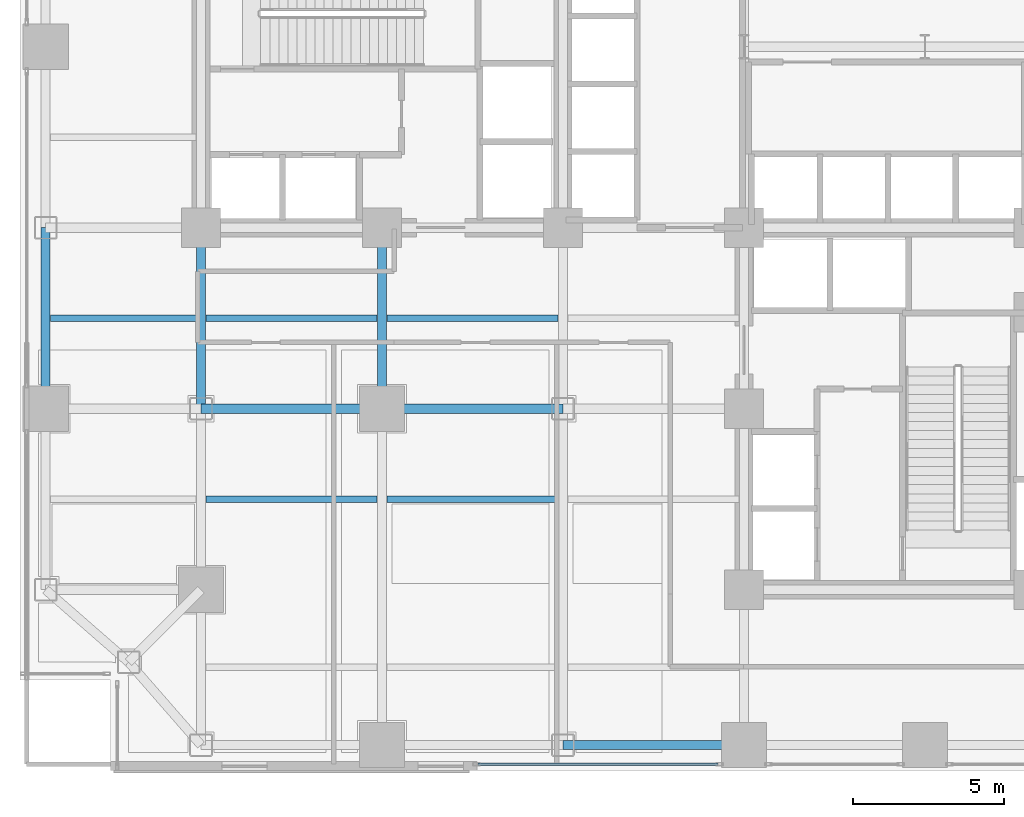
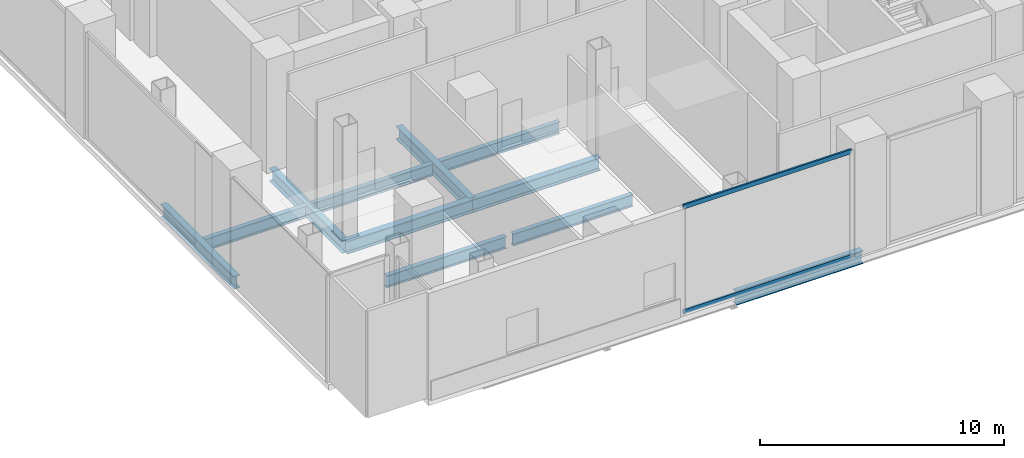
# One storey, part 4 of 27: 11 beams, 2 members, 1 element without a shape of its own.
"""IFC4 building model written with IfcOpenShell, lengths in metres."""

import ifcopenshell
import ifcopenshell.guid

model = None  # the IFC model being written
_history = None  # IfcOwnerHistory: only IFC2X3 demands one
_inside = {}  # id of a spatial element -> (the spatial element, [elements in it])
_under = {}  # id of a project, library or spatial element -> (it, [spatial elements below it])
_declared = {}  # id of a project -> (the project, [libraries it declares])
_typed = {}  # id of a type object -> (the type object, [elements of that type])
_made_of = {}  # id of a material, layer set ... -> (it, [elements and type objects made of it])


def new_model(schema):
    """Start an empty IFC model of exactly this schema.

    Asked for "IFC4X3", IfcOpenShell would pick the latest addendum, in which some entities
    have other attributes; the version numbers below select the first issue.
    IFC2X3 requires an IfcOwnerHistory on every rooted entity: one is made here for all.
    """
    global model, _history
    if schema == "IFC4X3":
        model = ifcopenshell.file(schema_version=(4, 3, 0, 0))
    else:
        model = ifcopenshell.file(schema=schema)
    _inside.clear()
    _under.clear()
    _declared.clear()
    _typed.clear()
    _made_of.clear()
    _history = None
    if model.schema == "IFC2X3":
        org = make("IfcOrganization", Name="unknown")
        user = make(
            "IfcPersonAndOrganization",
            ThePerson=make("IfcPerson", FamilyName="unknown"),
            TheOrganization=org,
        )
        app = make(
            "IfcApplication",
            ApplicationDeveloper=org,
            Version="unknown",
            ApplicationFullName="unknown",
            ApplicationIdentifier="unknown",
        )
        _history = make(
            "IfcOwnerHistory",
            OwningUser=user,
            OwningApplication=app,
            ChangeAction="ADDED",
            CreationDate=0,
        )
    return model


def make(cls, **values):
    """One entity of the class cls with the attributes given. An attribute that is None is left unset."""
    return model.create_entity(
        cls, **{name: value for name, value in values.items() if value is not None}
    )


def rooted(cls, **values):
    """An entity with a GlobalId (a new one), such as an element, a storey or a relation."""
    return make(cls, GlobalId=ifcopenshell.guid.new(), OwnerHistory=_history, **values)


def si_unit(unit_type, name, prefix=None):
    """IfcSIUnit, for example si_unit("LENGTHUNIT", "METRE", prefix="MILLI")."""
    return make("IfcSIUnit", UnitType=unit_type, Prefix=prefix, Name=name)


def assignment(units):
    """IfcUnitAssignment: the units of a project."""
    return None if units is None else make("IfcUnitAssignment", Units=units)


def point(xyz):
    """IfcCartesianPoint."""
    return None if xyz is None else make("IfcCartesianPoint", Coordinates=xyz)


def direction(xyz):
    """IfcDirection."""
    return None if xyz is None else make("IfcDirection", DirectionRatios=xyz)


def frame(location, z_axis=None, x_axis=None):
    """IfcAxis2Placement3D, a coordinate frame: its origin and axes. An axis left out is left unset."""
    return make(
        "IfcAxis2Placement3D",
        Location=point(location),
        Axis=direction(z_axis),
        RefDirection=direction(x_axis),
    )


def frame_2d(location, x_axis=None):
    """IfcAxis2Placement2D, a coordinate frame in the plane: its origin and x axis."""
    return make(
        "IfcAxis2Placement2D", Location=point(location), RefDirection=direction(x_axis)
    )


def origin():
    """The frame at (0, 0, 0) with its axes left unset."""
    return frame((0.0, 0.0, 0.0))


def origin_2d():
    """The frame at (0, 0) in the plane with its x axis left unset."""
    return frame_2d((0.0, 0.0))


def place(relative_to, where):
    """IfcLocalPlacement: puts the frame where relative to a parent placement (None: the world)."""
    return make(
        "IfcLocalPlacement", PlacementRelTo=relative_to, RelativePlacement=where
    )


def context(
    kind, dimensions, precision=None, world=None, true_north=None, identifier=None
):
    """IfcGeometricRepresentationContext, for example the 3D "Model" context."""
    return make(
        "IfcGeometricRepresentationContext",
        ContextIdentifier=identifier,
        ContextType=kind,
        CoordinateSpaceDimension=dimensions,
        Precision=precision,
        WorldCoordinateSystem=world,
        TrueNorth=true_north,
    )


def subcontext(parent, identifier, kind, view, scale=None):
    """IfcGeometricRepresentationSubContext, for example "Body" below "Model"."""
    return make(
        "IfcGeometricRepresentationSubContext",
        ContextIdentifier=identifier,
        ContextType=kind,
        ParentContext=parent,
        TargetScale=scale,
        TargetView=view,
    )


def project(units=None, contexts=None):
    """IfcProject with its units and contexts."""
    return rooted(
        "IfcProject",
        Name="project",
        RepresentationContexts=contexts,
        UnitsInContext=assignment(units),
    )


def spatial(cls, under=None, at=None, **own):
    """A site, building, storey or space (cls), placed at a placement, below another one or the project."""
    s = rooted(cls, ObjectPlacement=at, **own)
    if under is not None:
        _under.setdefault(under.id(), (under, []))[1].append(s)
    return s


def profile(cls, at=None, kind="AREA", **sizes):
    """A parametric profile (cls). Its sizes go by their IFC names, for example OverallWidth=200.0."""
    return make(cls, ProfileType=kind, Position=at, **sizes)


def hollow_rectangle(**sizes):
    """IfcRectangleHollowProfileDef."""
    return profile("IfcRectangleHollowProfileDef", **sizes)


def i_section(**sizes):
    """IfcIShapeProfileDef."""
    return profile("IfcIShapeProfileDef", **sizes)


def extrude(swept, where, along, depth):
    """IfcExtrudedAreaSolid: the profile swept, set in the frame where, extruded along a direction by depth."""
    return make(
        "IfcExtrudedAreaSolid",
        SweptArea=swept,
        Position=where,
        ExtrudedDirection=direction(along),
        Depth=depth,
    )


def shape(context_of_items, identifier, shape_type, items):
    """IfcShapeRepresentation: the items that make up one representation, for example the "Body"."""
    return make(
        "IfcShapeRepresentation",
        ContextOfItems=context_of_items,
        RepresentationIdentifier=identifier,
        RepresentationType=shape_type,
        Items=items,
    )


def material(Name=None, Category=None):
    """IfcMaterial."""
    return make("IfcMaterial", Name=Name, Category=Category)


def layer(
    of_material, thickness, ventilated=None, Name=None, Category=None, Priority=None
):
    """IfcMaterialLayer: one layer of a wall or slab, of a material (None: an air gap)."""
    return make(
        "IfcMaterialLayer",
        Material=of_material,
        LayerThickness=thickness,
        IsVentilated=ventilated,
        Name=Name,
        Category=Category,
        Priority=Priority,
    )


def layer_set(layers, Name=None):
    """IfcMaterialLayerSet."""
    return make("IfcMaterialLayerSet", MaterialLayers=layers, LayerSetName=Name)


def material_profile(
    of_material, cross_section, Name=None, Category=None, Priority=None
):
    """IfcMaterialProfile: a cross section and its material."""
    return make(
        "IfcMaterialProfile",
        Name=Name,
        Material=of_material,
        Profile=cross_section,
        Priority=Priority,
        Category=Category,
    )


def profile_set(profiles, Name=None, composite=None):
    """IfcMaterialProfileSet."""
    return make(
        "IfcMaterialProfileSet",
        Name=Name,
        MaterialProfiles=profiles,
        CompositeProfile=composite,
    )


def made_of(thing, what):
    """Note that an element or type object is made of a material, layer set ...; save() writes the relation."""
    if what is not None:
        _made_of.setdefault(what.id(), (what, []))[1].append(thing)
    return thing


def type_object(cls, material=None, **own):
    """A type object (cls), such as IfcWallType, which elements share."""
    return made_of(rooted(cls, **own), material)


def element(
    cls,
    number,
    at=None,
    inside=None,
    cuts=None,
    type_object=None,
    material=None,
    context=None,
    identifier="Body",
    shape_type=None,
    held_by="IfcProductDefinitionShape",
    body=None,
    shapes=None,
    **own,
):
    """One element of the class cls, such as IfcWall. Its Tag is "e" and its number.

    at: its placement. inside: the storey or other place that contains it. cuts: it is an
    opening in that element (IfcRelVoidsElement). A single representation is given by context,
    identifier, shape_type and body (its items); several are given by shapes. held_by: the class
    of the entity that holds the representations. save() writes the other relations.
    """
    e = rooted(cls, Tag="e%d" % number, ObjectPlacement=at, **own)
    if body is not None:
        shapes = [shape(context, identifier, shape_type, body)]
    if shapes is not None:
        e.Representation = make(held_by, Representations=shapes)
    if inside is not None:
        _inside.setdefault(inside.id(), (inside, []))[1].append(e)
    if cuts is not None:
        rooted(
            "IfcRelVoidsElement", RelatingBuildingElement=cuts, RelatedOpeningElement=e
        )
    if type_object is not None:
        _typed.setdefault(type_object.id(), (type_object, []))[1].append(e)
    return made_of(e, material)


def aggregate(whole, parts):
    """IfcRelAggregates: a whole, such as a stair, and the parts it consists of."""
    return rooted("IfcRelAggregates", RelatingObject=whole, RelatedObjects=parts)


def save(model, path):
    """Write the relations noted so far, then the file.

    IfcRelAggregates (storeys below a building ...), IfcRelContainedInSpatialStructure (elements
    in a storey), IfcRelDefinesByType, IfcRelAssociatesMaterial and IfcRelDeclares: one each for
    every whole, place, type object, material and project.
    """
    for whole, parts in _under.values():
        aggregate(whole, parts)
    for where, things in _inside.values():
        rooted(
            "IfcRelContainedInSpatialStructure",
            RelatedElements=things,
            RelatingStructure=where,
        )
    for kind, things in _typed.values():
        rooted("IfcRelDefinesByType", RelatedObjects=things, RelatingType=kind)
    for what, things in _made_of.values():
        rooted("IfcRelAssociatesMaterial", RelatedObjects=things, RelatingMaterial=what)
    for by, libraries in _declared.values():
        rooted("IfcRelDeclares", RelatingContext=by, RelatedDefinitions=libraries)
    model.write(path)


model = new_model("IFC4")

# Units and contexts
model_context = context("Model", 3, precision=1e-05, world=origin(), true_north=direction((0.0, 1.0)))
body_context = subcontext(model_context, "Body", "Model", "MODEL_VIEW")
ifc_project = project(units=[si_unit("LENGTHUNIT", "METRE"), si_unit("AREAUNIT", "SQUARE_METRE"), si_unit("VOLUMEUNIT", "CUBIC_METRE"), si_unit("PLANEANGLEUNIT", "RADIAN"), si_unit("MASSUNIT", "GRAM", prefix="KILO"), si_unit("THERMODYNAMICTEMPERATUREUNIT", "KELVIN"), si_unit("POWERUNIT", "WATT")], contexts=[model_context])

# Site, building, storey
site_placement = place(None, origin())
site = spatial("IfcSite", under=ifc_project, at=site_placement, CompositionType="ELEMENT")
building_placement = place(site_placement, origin())
building = spatial("IfcBuilding", under=site, at=building_placement, Name="Svarakhadi Broadcast Tower", CompositionType="ELEMENT")
storey_placement = place(building_placement, frame((0.0, 0.0, 21.89990234375)))
storey = spatial("IfcBuildingStorey", under=building, at=storey_placement, Name="L04", CompositionType="ELEMENT", Elevation=21.89990234375)

# Beams
ifc_material_1 = material(Name="Steel S355J2 (IS 2062 E350C)", Category="steel")
ifc_material_profile_1 = material_profile(ifc_material_1, i_section(OverallWidth=0.219970703125, OverallDepth=0.60009765625, WebThickness=0.011962890625, FlangeThickness=0.01904296875, FilletRadius=0.02392578125, at=origin_2d()), Name="NPB 600x220x122")
ifc_profile_set_1 = profile_set([ifc_material_profile_1], Name="Steel S355J2 (IS 2062 E350C)")
beam_type_1 = type_object("IfcBeamType", Name="Beam_NPB600", PredefinedType="BEAM", material=ifc_profile_set_1)
beam_placement = place(storey_placement, frame((1.010009765625, 15.0, -0.574951171875), z_axis=(1.0, 0.0, 0.0), x_axis=(0.0, 1.0, 0.0)))
element("IfcBeam", 1, at=beam_placement, inside=storey, type_object=beam_type_1, Name="L04 Secondary Composite Beam SB002", PredefinedType="BEAM", context=body_context, shape_type="SweptSolid", body=[
    extrude(i_section(OverallWidth=0.219970703125, OverallDepth=0.60009765625, WebThickness=0.011962890625, FlangeThickness=0.01904296875, FilletRadius=0.02392578125, at=origin_2d()), origin(), (0.0, 0.0, 1.0), 4.830078125),
])
for number, where, z_axis, x_axis, name in (
    (2, (6.159912109375, 9.0, -0.574951171875), (1.0, 0.0, 0.0), (0.0, 1.0, 0.0), "L04 Secondary Composite Beam SB008"),
    (3, (6.159912109375, 15.0, -0.574951171875), (1.0, 0.0, 0.0), (0.0, 1.0, 0.0), "L04 Secondary Composite Beam SB009"),
    (4, (12.159912109375, 9.0, -0.574951171875), (1.0, 0.0, 0.0), (0.0, 1.0, 0.0), "L04 Secondary Composite Beam SB011"),
    (5, (12.159912109375, 15.0, -0.574951171875), (1.0, 0.0, 0.0), (0.0, 1.0, 0.0), "L04 Secondary Composite Beam SB012"),
):
    element("IfcBeam", number, at=place(storey_placement, frame(where, z_axis=z_axis, x_axis=x_axis)), inside=storey, type_object=beam_type_1, Name=name, PredefinedType="BEAM", context=body_context, shape_type="SweptSolid", body=[
        extrude(i_section(OverallWidth=0.219970703125, OverallDepth=0.60009765625, WebThickness=0.011962890625, FlangeThickness=0.01904296875, FilletRadius=0.02392578125, at=origin_2d()), origin(), (0.0, 0.0, 1.0), 5.68017578125),
    ])

# Curtain wall, members
ifc_material_2 = material(Name="Anodised Bronze Aluminium AA 6063-T6", Category="aluminium")
ifc_layer = layer(ifc_material_2, 0.25)
ifc_layer_set = layer_set([ifc_layer], Name="Anodised Bronze Aluminium AA 6063-T6")
curtain_wall_type = type_object("IfcCurtainWallType", Name="CW_Sys_01", PredefinedType="NOTDEFINED", material=ifc_layer_set)
curtain_wall_placement = place(storey_placement, origin())
curtain_wall = element("IfcCurtainWall", 6, at=curtain_wall_placement, inside=storey, type_object=curtain_wall_type, Name="L04 South Curtain Wall 11 Bay 5", PredefinedType="NOTDEFINED")
ifc_material_profile_2 = material_profile(ifc_material_2, hollow_rectangle(XDim=0.0849609375, YDim=0.219970703125, WallThickness=0.0048828125, at=origin_2d()), Name="ALU TRANSOM 220x85x5")
ifc_profile_set_2 = profile_set([ifc_material_profile_2], Name="Anodised Bronze Aluminium AA 6063-T6")
member_type = type_object("IfcMemberType", Name="CW_Sys_01_Trn", PredefinedType="USERDEFINED", material=ifc_profile_set_2)
member_1_placement = place(storey_placement, frame((23.135009765625, 0.219970703125, 0.04248046875), z_axis=(-1.0, 0.0, 0.0), x_axis=(0.0, -1.0, 0.0)))
member_1 = element("IfcMember", 7, at=member_1_placement, type_object=member_type, Name="CW-01 transom 1.1", ObjectType="TRANSOM", PredefinedType="USERDEFINED", context=body_context, shape_type="SweptSolid", body=[
    extrude(hollow_rectangle(XDim=0.0849609375, YDim=0.219970703125, WallThickness=0.0048828125, at=origin_2d()), origin(), (0.0, 0.0, 1.0), 7.949951171875),
])
member_2_placement = place(storey_placement, frame((23.135009765625, 0.219970703125, 5.3076171875), z_axis=(-1.0, 0.0, 0.0), x_axis=(0.0, -1.0, 0.0)))
member_2 = element("IfcMember", 8, at=member_2_placement, type_object=member_type, Name="CW-01 transom 1.2", ObjectType="TRANSOM", PredefinedType="USERDEFINED", context=body_context, shape_type="SweptSolid", body=[
    extrude(hollow_rectangle(XDim=0.0849609375, YDim=0.219970703125, WallThickness=0.0048828125, at=origin_2d()), origin(), (0.0, 0.0, 1.0), 7.949951171875),
])
aggregate(curtain_wall, [member_1, member_2])

# Beams
ifc_material_profile_3 = material_profile(ifc_material_1, i_section(OverallWidth=0.300048828125, OverallDepth=0.64990234375, WebThickness=0.01611328125, FlangeThickness=0.031005859375, FilletRadius=0.027099609375, at=origin_2d()), Name="WPB 650x300x225")
ifc_profile_set_3 = profile_set([ifc_material_profile_3], Name="Steel S355J2 (IS 2062 E350C)")
beam_type_2 = type_object("IfcBeamType", Name="Girder_WPB650", PredefinedType="USERDEFINED", material=ifc_profile_set_3)
for number, where, z_axis, x_axis, name in (
    (9, (18.0, 0.85009765625, -0.599853515625), (1.0, 0.0, 0.0), (0.0, 1.0, 0.0), "L04 Primary E-W Girder G006"),
    (10, (6.0, 12.0, -0.599853515625), (1.0, 0.0, 0.0), (0.0, 1.0, 0.0), "L04 Primary E-W Girder G015"),
    (11, (12.0, 12.0, -0.599853515625), (1.0, 0.0, 0.0), (0.0, 1.0, 0.0), "L04 Primary E-W Girder G016"),
    (12, (0.85009765625, 12.0, -0.599853515625), (0.0, 1.0, 0.0), (-1.0, 0.0, 0.0), "L04 Primary N-S Girder G045"),
    (13, (6.0, 12.0, -0.599853515625), (0.0, 1.0, 0.0), (-1.0, 0.0, 0.0), "L04 Primary N-S Girder G052"),
    (14, (12.0, 12.0, -0.599853515625), (0.0, 1.0, 0.0), (-1.0, 0.0, 0.0), "L04 Primary N-S Girder G058"),
):
    element("IfcBeam", number, at=place(storey_placement, frame(where, z_axis=z_axis, x_axis=x_axis)), inside=storey, type_object=beam_type_2, Name=name, ObjectType="GIRDER", PredefinedType="USERDEFINED", context=body_context, shape_type="SweptSolid", body=[
        extrude(i_section(OverallWidth=0.300048828125, OverallDepth=0.64990234375, WebThickness=0.01611328125, FlangeThickness=0.031005859375, FilletRadius=0.027099609375, at=origin_2d()), origin(), (0.0, 0.0, 1.0), 6.0),
    ])

save(model, "model.ifc")
